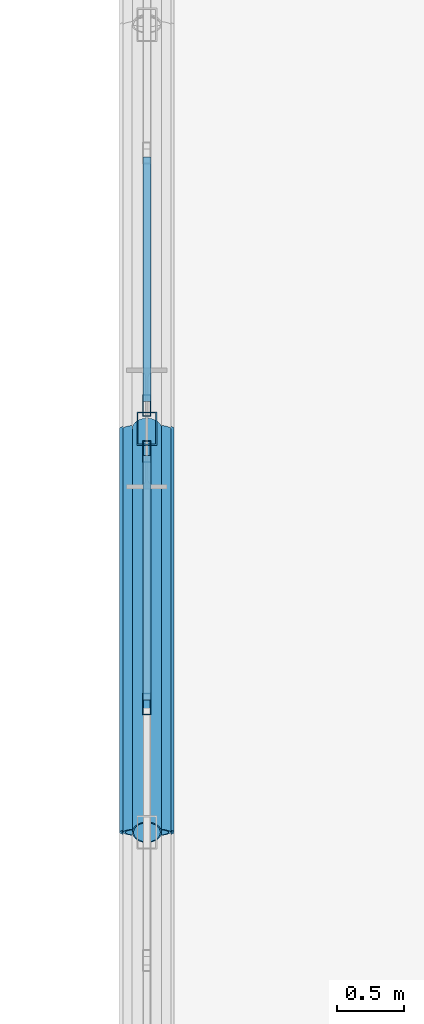
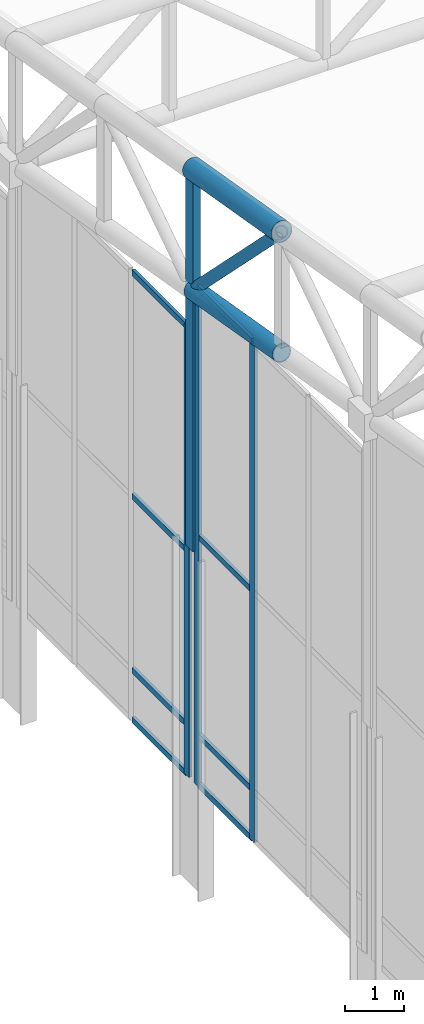
# One storey, part 89 of 239: 15 members, 2 elements without a shape of their own.
"""IFC4 building model written with IfcOpenShell, lengths in metres."""

import ifcopenshell
import ifcopenshell.guid

model = None  # the IFC model being written
_history = None  # IfcOwnerHistory: only IFC2X3 demands one
_inside = {}  # id of a spatial element -> (the spatial element, [elements in it])
_under = {}  # id of a project, library or spatial element -> (it, [spatial elements below it])
_declared = {}  # id of a project -> (the project, [libraries it declares])
_typed = {}  # id of a type object -> (the type object, [elements of that type])
_made_of = {}  # id of a material, layer set ... -> (it, [elements and type objects made of it])


def new_model(schema):
    """Start an empty IFC model of exactly this schema.

    Asked for "IFC4X3", IfcOpenShell would pick the latest addendum, in which some entities
    have other attributes; the version numbers below select the first issue.
    IFC2X3 requires an IfcOwnerHistory on every rooted entity: one is made here for all.
    """
    global model, _history
    if schema == "IFC4X3":
        model = ifcopenshell.file(schema_version=(4, 3, 0, 0))
    else:
        model = ifcopenshell.file(schema=schema)
    _inside.clear()
    _under.clear()
    _declared.clear()
    _typed.clear()
    _made_of.clear()
    _history = None
    if model.schema == "IFC2X3":
        org = make("IfcOrganization", Name="unknown")
        user = make(
            "IfcPersonAndOrganization",
            ThePerson=make("IfcPerson", FamilyName="unknown"),
            TheOrganization=org,
        )
        app = make(
            "IfcApplication",
            ApplicationDeveloper=org,
            Version="unknown",
            ApplicationFullName="unknown",
            ApplicationIdentifier="unknown",
        )
        _history = make(
            "IfcOwnerHistory",
            OwningUser=user,
            OwningApplication=app,
            ChangeAction="ADDED",
            CreationDate=0,
        )
    return model


def make(cls, **values):
    """One entity of the class cls with the attributes given. An attribute that is None is left unset."""
    return model.create_entity(
        cls, **{name: value for name, value in values.items() if value is not None}
    )


def rooted(cls, **values):
    """An entity with a GlobalId (a new one), such as an element, a storey or a relation."""
    return make(cls, GlobalId=ifcopenshell.guid.new(), OwnerHistory=_history, **values)


def si_unit(unit_type, name, prefix=None):
    """IfcSIUnit, for example si_unit("LENGTHUNIT", "METRE", prefix="MILLI")."""
    return make("IfcSIUnit", UnitType=unit_type, Prefix=prefix, Name=name)


def assignment(units):
    """IfcUnitAssignment: the units of a project."""
    return None if units is None else make("IfcUnitAssignment", Units=units)


def point(xyz):
    """IfcCartesianPoint."""
    return None if xyz is None else make("IfcCartesianPoint", Coordinates=xyz)


def direction(xyz):
    """IfcDirection."""
    return None if xyz is None else make("IfcDirection", DirectionRatios=xyz)


def frame(location, z_axis=None, x_axis=None):
    """IfcAxis2Placement3D, a coordinate frame: its origin and axes. An axis left out is left unset."""
    return make(
        "IfcAxis2Placement3D",
        Location=point(location),
        Axis=direction(z_axis),
        RefDirection=direction(x_axis),
    )


def frame_2d(location, x_axis=None):
    """IfcAxis2Placement2D, a coordinate frame in the plane: its origin and x axis."""
    return make(
        "IfcAxis2Placement2D", Location=point(location), RefDirection=direction(x_axis)
    )


def origin():
    """The frame at (0, 0, 0) with its axes left unset."""
    return frame((0.0, 0.0, 0.0))


def origin_2d():
    """The frame at (0, 0) in the plane with its x axis left unset."""
    return frame_2d((0.0, 0.0))


def place(relative_to, where):
    """IfcLocalPlacement: puts the frame where relative to a parent placement (None: the world)."""
    return make(
        "IfcLocalPlacement", PlacementRelTo=relative_to, RelativePlacement=where
    )


def context(
    kind, dimensions, precision=None, world=None, true_north=None, identifier=None
):
    """IfcGeometricRepresentationContext, for example the 3D "Model" context."""
    return make(
        "IfcGeometricRepresentationContext",
        ContextIdentifier=identifier,
        ContextType=kind,
        CoordinateSpaceDimension=dimensions,
        Precision=precision,
        WorldCoordinateSystem=world,
        TrueNorth=true_north,
    )


def subcontext(parent, identifier, kind, view, scale=None):
    """IfcGeometricRepresentationSubContext, for example "Body" below "Model"."""
    return make(
        "IfcGeometricRepresentationSubContext",
        ContextIdentifier=identifier,
        ContextType=kind,
        ParentContext=parent,
        TargetScale=scale,
        TargetView=view,
    )


def project(units=None, contexts=None):
    """IfcProject with its units and contexts."""
    return rooted(
        "IfcProject",
        Name="project",
        RepresentationContexts=contexts,
        UnitsInContext=assignment(units),
    )


def spatial(cls, under=None, at=None, **own):
    """A site, building, storey or space (cls), placed at a placement, below another one or the project."""
    s = rooted(cls, ObjectPlacement=at, **own)
    if under is not None:
        _under.setdefault(under.id(), (under, []))[1].append(s)
    return s


def profile(cls, at=None, kind="AREA", **sizes):
    """A parametric profile (cls). Its sizes go by their IFC names, for example OverallWidth=200.0."""
    return make(cls, ProfileType=kind, Position=at, **sizes)


def hollow_rectangle(**sizes):
    """IfcRectangleHollowProfileDef."""
    return profile("IfcRectangleHollowProfileDef", **sizes)


def hollow_circle(**sizes):
    """IfcCircleHollowProfileDef."""
    return profile("IfcCircleHollowProfileDef", **sizes)


def extrude(swept, where, along, depth):
    """IfcExtrudedAreaSolid: the profile swept, set in the frame where, extruded along a direction by depth."""
    return make(
        "IfcExtrudedAreaSolid",
        SweptArea=swept,
        Position=where,
        ExtrudedDirection=direction(along),
        Depth=depth,
    )


def shape(context_of_items, identifier, shape_type, items):
    """IfcShapeRepresentation: the items that make up one representation, for example the "Body"."""
    return make(
        "IfcShapeRepresentation",
        ContextOfItems=context_of_items,
        RepresentationIdentifier=identifier,
        RepresentationType=shape_type,
        Items=items,
    )


def material(Name=None, Category=None):
    """IfcMaterial."""
    return make("IfcMaterial", Name=Name, Category=Category)


def material_profile(
    of_material, cross_section, Name=None, Category=None, Priority=None
):
    """IfcMaterialProfile: a cross section and its material."""
    return make(
        "IfcMaterialProfile",
        Name=Name,
        Material=of_material,
        Profile=cross_section,
        Priority=Priority,
        Category=Category,
    )


def profile_set(profiles, Name=None, composite=None):
    """IfcMaterialProfileSet."""
    return make(
        "IfcMaterialProfileSet",
        Name=Name,
        MaterialProfiles=profiles,
        CompositeProfile=composite,
    )


def made_of(thing, what):
    """Note that an element or type object is made of a material, layer set ...; save() writes the relation."""
    if what is not None:
        _made_of.setdefault(what.id(), (what, []))[1].append(thing)
    return thing


def type_object(cls, material=None, **own):
    """A type object (cls), such as IfcWallType, which elements share."""
    return made_of(rooted(cls, **own), material)


def element(
    cls,
    number,
    at=None,
    inside=None,
    cuts=None,
    type_object=None,
    material=None,
    context=None,
    identifier="Body",
    shape_type=None,
    held_by="IfcProductDefinitionShape",
    body=None,
    shapes=None,
    **own,
):
    """One element of the class cls, such as IfcWall. Its Tag is "e" and its number.

    at: its placement. inside: the storey or other place that contains it. cuts: it is an
    opening in that element (IfcRelVoidsElement). A single representation is given by context,
    identifier, shape_type and body (its items); several are given by shapes. held_by: the class
    of the entity that holds the representations. save() writes the other relations.
    """
    e = rooted(cls, Tag="e%d" % number, ObjectPlacement=at, **own)
    if body is not None:
        shapes = [shape(context, identifier, shape_type, body)]
    if shapes is not None:
        e.Representation = make(held_by, Representations=shapes)
    if inside is not None:
        _inside.setdefault(inside.id(), (inside, []))[1].append(e)
    if cuts is not None:
        rooted(
            "IfcRelVoidsElement", RelatingBuildingElement=cuts, RelatedOpeningElement=e
        )
    if type_object is not None:
        _typed.setdefault(type_object.id(), (type_object, []))[1].append(e)
    return made_of(e, material)


def aggregate(whole, parts):
    """IfcRelAggregates: a whole, such as a stair, and the parts it consists of."""
    return rooted("IfcRelAggregates", RelatingObject=whole, RelatedObjects=parts)


def save(model, path):
    """Write the relations noted so far, then the file.

    IfcRelAggregates (storeys below a building ...), IfcRelContainedInSpatialStructure (elements
    in a storey), IfcRelDefinesByType, IfcRelAssociatesMaterial and IfcRelDeclares: one each for
    every whole, place, type object, material and project.
    """
    for whole, parts in _under.values():
        aggregate(whole, parts)
    for where, things in _inside.values():
        rooted(
            "IfcRelContainedInSpatialStructure",
            RelatedElements=things,
            RelatingStructure=where,
        )
    for kind, things in _typed.values():
        rooted("IfcRelDefinesByType", RelatedObjects=things, RelatingType=kind)
    for what, things in _made_of.values():
        rooted("IfcRelAssociatesMaterial", RelatedObjects=things, RelatingMaterial=what)
    for by, libraries in _declared.values():
        rooted("IfcRelDeclares", RelatingContext=by, RelatedDefinitions=libraries)
    model.write(path)


model = new_model("IFC4")

# Units and contexts
model_context = context("Model", 3, precision=1e-05, world=origin(), true_north=direction((0.0, 1.0)))
body_context = subcontext(model_context, "Body", "Model", "MODEL_VIEW")
ifc_project = project(units=[si_unit("LENGTHUNIT", "METRE"), si_unit("AREAUNIT", "SQUARE_METRE"), si_unit("VOLUMEUNIT", "CUBIC_METRE"), si_unit("PLANEANGLEUNIT", "RADIAN"), si_unit("MASSUNIT", "GRAM", prefix="KILO")], contexts=[model_context])

# Site, building, storey
site_placement = place(None, origin())
site = spatial("IfcSite", under=ifc_project, at=site_placement, CompositionType="ELEMENT")
building_placement = place(site_placement, origin())
building = spatial("IfcBuilding", under=site, at=building_placement, Name="Kaldris Quays Convention Centre", CompositionType="ELEMENT")
storey_placement = place(building_placement, frame((0.0, 0.0, 11.39990234375)))
storey = spatial("IfcBuildingStorey", under=building, at=storey_placement, Name="L02", CompositionType="ELEMENT", Elevation=11.39990234375)

# Curtain wall, members
ifc_material_1 = material(Name="Anodized aluminium AW-6060 and triple glazing", Category="aluminium")
curtain_wall_type = type_object("IfcCurtainWallType", Name="UNITISED CURTAIN WALL CW03", PredefinedType="NOTDEFINED", material=ifc_material_1)
curtain_wall_1_placement = place(storey_placement, origin())
curtain_wall_1 = element("IfcCurtainWall", 1, at=curtain_wall_1_placement, inside=storey, type_object=curtain_wall_type, Name="L02 Unitised Curtain Wall CW03 221", PredefinedType="NOTDEFINED")
ifc_material_2 = material(Name="Anodized aluminium AW-6060", Category="aluminium")
ifc_material_profile_1 = material_profile(ifc_material_2, hollow_rectangle(XDim=0.06005859375, YDim=0.159912109375, WallThickness=0.00390625, at=origin_2d()), Name="RHS 160x60x4")
ifc_profile_set_1 = profile_set([ifc_material_profile_1], Name="Anodized aluminium AW-6060")
member_type_1 = type_object("IfcMemberType", Name="CURTAIN MULLION CWM1", PredefinedType="MULLION", material=ifc_profile_set_1)
member_1_placement = place(storey_placement, frame((20.0, 107.953369140625, 2.195068359375), z_axis=(0.0, 0.0, 1.0), x_axis=(-1.0, 0.0, 0.0)))
member_1 = element("IfcMember", 2, at=member_1_placement, type_object=member_type_1, Name="CW03 mullion 3", PredefinedType="MULLION", context=body_context, shape_type="SweptSolid", body=[
    extrude(hollow_rectangle(XDim=0.06005859375, YDim=0.159912109375, WallThickness=0.00390625, at=origin_2d()), origin(), (0.0, 0.0, 1.0), 10.31201171875),
])
member_2_placement = place(storey_placement, frame((20.0, 109.830078125, 2.195068359375), z_axis=(0.0, 0.0, 1.0), x_axis=(-1.0, 0.0, 0.0)))
member_2 = element("IfcMember", 3, at=member_2_placement, type_object=member_type_1, Name="CW03 mullion 4", PredefinedType="MULLION", context=body_context, shape_type="SweptSolid", body=[
    extrude(hollow_rectangle(XDim=0.06005859375, YDim=0.159912109375, WallThickness=0.00390625, at=origin_2d()), origin(), (0.0, 0.0, 1.0), 10.31201171875),
])

# Curtain wall, member
curtain_wall_2_placement = place(storey_placement, origin())
curtain_wall_2 = element("IfcCurtainWall", 4, at=curtain_wall_2_placement, inside=storey, type_object=curtain_wall_type, Name="L02 Unitised Curtain Wall CW03 222", PredefinedType="NOTDEFINED")
member_3_placement = place(storey_placement, frame((20.0, 110.169921875, 2.195068359375), z_axis=(0.0, 0.0, 1.0), x_axis=(-1.0, 0.0, 0.0)))
member_3 = element("IfcMember", 5, at=member_3_placement, type_object=member_type_1, Name="CW03 mullion 1", PredefinedType="MULLION", context=body_context, shape_type="SweptSolid", body=[
    extrude(hollow_rectangle(XDim=0.06005859375, YDim=0.159912109375, WallThickness=0.00390625, at=origin_2d()), origin(), (0.0, 0.0, 1.0), 9.283935546875),
])

# Member
ifc_material_profile_2 = material_profile(ifc_material_2, hollow_rectangle(XDim=0.06005859375, YDim=0.1201171875, WallThickness=0.00390625, at=origin_2d()), Name="RHS 120x60x4")
ifc_profile_set_2 = profile_set([ifc_material_profile_2], Name="Anodized aluminium AW-6060")
member_type_2 = type_object("IfcMemberType", Name="CURTAIN TRANSOM CWT1", PredefinedType="USERDEFINED", material=ifc_profile_set_2)
member_4_placement = place(storey_placement, frame((20.0, 107.9833984375, 2.22509765625), z_axis=(0.0, 1.0, 0.0), x_axis=(-1.0, 0.0, 0.0)))
member_4 = element("IfcMember", 6, at=member_4_placement, type_object=member_type_2, Name="CW03 transom 3.1", ObjectType="TRANSOM", PredefinedType="USERDEFINED", context=body_context, shape_type="SweptSolid", body=[
    extrude(hollow_rectangle(XDim=0.06005859375, YDim=0.1201171875, WallThickness=0.00390625, at=origin_2d()), origin(), (0.0, 0.0, 1.0), 1.816650390625),
])

member_5_placement = place(storey_placement, frame((20.0, 107.9833984375, 3.2451171875), z_axis=(0.0, 1.0, 0.0), x_axis=(-1.0, 0.0, 0.0)))
member_5 = element("IfcMember", 7, at=member_5_placement, type_object=member_type_2, Name="CW03 transom 3.2", ObjectType="TRANSOM", PredefinedType="USERDEFINED", context=body_context, shape_type="SweptSolid", body=[
    extrude(hollow_rectangle(XDim=0.06005859375, YDim=0.1201171875, WallThickness=0.00390625, at=origin_2d()), origin(), (0.0, 0.0, 1.0), 1.816650390625),
])

member_6_placement = place(storey_placement, frame((20.0, 107.9833984375, 7.35107421875), z_axis=(0.0, 1.0, 0.0), x_axis=(-1.0, 0.0, 0.0)))
member_6 = element("IfcMember", 8, at=member_6_placement, type_object=member_type_2, Name="CW03 transom 3.3", ObjectType="TRANSOM", PredefinedType="USERDEFINED", context=body_context, shape_type="SweptSolid", body=[
    extrude(hollow_rectangle(XDim=0.06005859375, YDim=0.1201171875, WallThickness=0.00390625, at=origin_2d()), origin(), (0.0, 0.0, 1.0), 1.816650390625),
])

member_7_placement = place(storey_placement, frame((20.0, 107.9833984375, 12.47705078125), z_axis=(0.0, 1.0, 0.0), x_axis=(-1.0, 0.0, 0.0)))
member_7 = element("IfcMember", 9, at=member_7_placement, type_object=member_type_2, Name="CW03 transom 3.4", ObjectType="TRANSOM", PredefinedType="USERDEFINED", context=body_context, shape_type="SweptSolid", body=[
    extrude(hollow_rectangle(XDim=0.06005859375, YDim=0.1201171875, WallThickness=0.00390625, at=origin_2d()), origin(), (0.0, 0.0, 1.0), 1.816650390625),
])

aggregate(curtain_wall_1, [member_1, member_2, member_4, member_5, member_6, member_7])

member_8_placement = place(storey_placement, frame((20.0, 110.199951171875, 2.22509765625), z_axis=(0.0, 1.0, 0.0), x_axis=(-1.0, 0.0, 0.0)))
member_8 = element("IfcMember", 10, at=member_8_placement, type_object=member_type_2, Name="CW03 transom 1.1", ObjectType="TRANSOM", PredefinedType="USERDEFINED", context=body_context, shape_type="SweptSolid", body=[
    extrude(hollow_rectangle(XDim=0.06005859375, YDim=0.1201171875, WallThickness=0.00390625, at=origin_2d()), origin(), (0.0, 0.0, 1.0), 1.816650390625),
])

member_9_placement = place(storey_placement, frame((20.0, 110.199951171875, 3.2451171875), z_axis=(0.0, 1.0, 0.0), x_axis=(-1.0, 0.0, 0.0)))
member_9 = element("IfcMember", 11, at=member_9_placement, type_object=member_type_2, Name="CW03 transom 1.2", ObjectType="TRANSOM", PredefinedType="USERDEFINED", context=body_context, shape_type="SweptSolid", body=[
    extrude(hollow_rectangle(XDim=0.06005859375, YDim=0.1201171875, WallThickness=0.00390625, at=origin_2d()), origin(), (0.0, 0.0, 1.0), 1.816650390625),
])

member_10_placement = place(storey_placement, frame((20.0, 110.199951171875, 6.837158203125), z_axis=(0.0, 1.0, 0.0), x_axis=(-1.0, 0.0, 0.0)))
member_10 = element("IfcMember", 12, at=member_10_placement, type_object=member_type_2, Name="CW03 transom 1.3", ObjectType="TRANSOM", PredefinedType="USERDEFINED", context=body_context, shape_type="SweptSolid", body=[
    extrude(hollow_rectangle(XDim=0.06005859375, YDim=0.1201171875, WallThickness=0.00390625, at=origin_2d()), origin(), (0.0, 0.0, 1.0), 1.816650390625),
])

member_11_placement = place(storey_placement, frame((20.0, 110.199951171875, 11.44921875), z_axis=(0.0, 1.0, 0.0), x_axis=(-1.0, 0.0, 0.0)))
member_11 = element("IfcMember", 13, at=member_11_placement, type_object=member_type_2, Name="CW03 transom 1.4", ObjectType="TRANSOM", PredefinedType="USERDEFINED", context=body_context, shape_type="SweptSolid", body=[
    extrude(hollow_rectangle(XDim=0.06005859375, YDim=0.1201171875, WallThickness=0.00390625, at=origin_2d()), origin(), (0.0, 0.0, 1.0), 1.816650390625),
])

aggregate(curtain_wall_2, [member_3, member_8, member_9, member_10, member_11])

# Members
ifc_material_3 = material(Name="Steel S355J2H", Category="steel")
ifc_material_profile_3 = material_profile(ifc_material_3, hollow_circle(Radius=0.203125, WallThickness=0.01611328125, at=origin_2d()), Name="CHS 406.4x16")
ifc_profile_set_3 = profile_set([ifc_material_profile_3], Name="Steel S355J2H")
member_type_3 = type_object("IfcMemberType", Name="STRUCTURAL MEMBER SC01", PredefinedType="CHORD", material=ifc_profile_set_3)
member_12_placement = place(storey_placement, frame((20.0, 107.0, 15.3291015625), z_axis=(0.0, 0.985615766076, -0.169001661712), x_axis=(-1.0, 0.0, 0.0)))
element("IfcMember", 14, at=member_12_placement, inside=storey, type_object=member_type_3, Name="SF-V1 Top Chord Y 354", PredefinedType="CHORD", context=body_context, shape_type="SweptSolid", body=[
    extrude(hollow_circle(Radius=0.203125, WallThickness=0.01611328125, at=origin_2d()), origin(), (0.0, 0.0, 1.0), 3.043701171875),
])
ifc_material_profile_4 = material_profile(ifc_material_3, hollow_circle(Radius=0.177734375, WallThickness=0.01611328125, at=origin_2d()), Name="CHS 355.6x16")
ifc_profile_set_4 = profile_set([ifc_material_profile_4], Name="Steel S355J2H")
member_type_4 = type_object("IfcMemberType", Name="STRUCTURAL MEMBER SC02", PredefinedType="CHORD", material=ifc_profile_set_4)
member_13_placement = place(storey_placement, frame((20.0, 107.0, 12.8291015625), z_axis=(0.0, 0.985615766076, -0.169001661712), x_axis=(-1.0, 0.0, 0.0)))
element("IfcMember", 15, at=member_13_placement, inside=storey, type_object=member_type_4, Name="SF-V1 Bottom Chord Y 354", PredefinedType="CHORD", context=body_context, shape_type="SweptSolid", body=[
    extrude(hollow_circle(Radius=0.177734375, WallThickness=0.01611328125, at=origin_2d()), origin(), (0.0, 0.0, 1.0), 3.043701171875),
])
ifc_material_profile_5 = material_profile(ifc_material_3, hollow_circle(Radius=0.109619140625, WallThickness=0.010009765625, at=origin_2d()), Name="CHS 219.1x10")
ifc_profile_set_5 = profile_set([ifc_material_profile_5], Name="Steel S355J2H")
member_type_5 = type_object("IfcMemberType", Name="STRUCTURAL MEMBER SWB1", PredefinedType="BRACE", material=ifc_profile_set_5)
member_14_placement = place(storey_placement, frame((20.0, 110.0, 12.314697265625), z_axis=(0.0, -0.705411261057, 0.708798245465), x_axis=(1.0, 0.0, 0.0)))
element("IfcMember", 16, at=member_14_placement, inside=storey, type_object=member_type_5, Name="SF-V1 Web Diagonal Y 354", PredefinedType="BRACE", context=body_context, shape_type="SweptSolid", body=[
    extrude(hollow_circle(Radius=0.109619140625, WallThickness=0.010009765625, at=origin_2d()), origin(), (0.0, 0.0, 1.0), 4.2529296875),
])
ifc_material_profile_6 = material_profile(ifc_material_3, hollow_rectangle(XDim=0.14990234375, YDim=0.25, WallThickness=0.010009765625, at=origin_2d()), Name="RHS 250x150x10")
ifc_profile_set_6 = profile_set([ifc_material_profile_6], Name="Steel S355J2H")
member_type_6 = type_object("IfcMemberType", Name="STRUCTURAL MEMBER TTV1", PredefinedType="POST", material=ifc_profile_set_6)
member_15_placement = place(storey_placement, frame((20.0, 110.0, 6.994140625), z_axis=(0.0, 0.0, 1.0), x_axis=(1.0, 0.0, 0.0)))
element("IfcMember", 17, at=member_15_placement, inside=storey, type_object=member_type_6, Name="SF-V1 Space-Frame Post 19", PredefinedType="POST", context=body_context, shape_type="SweptSolid", body=[
    extrude(hollow_rectangle(XDim=0.14990234375, YDim=0.25, WallThickness=0.010009765625, at=origin_2d()), origin(), (0.0, 0.0, 1.0), 7.820556640625),
])

save(model, "model.ifc")
